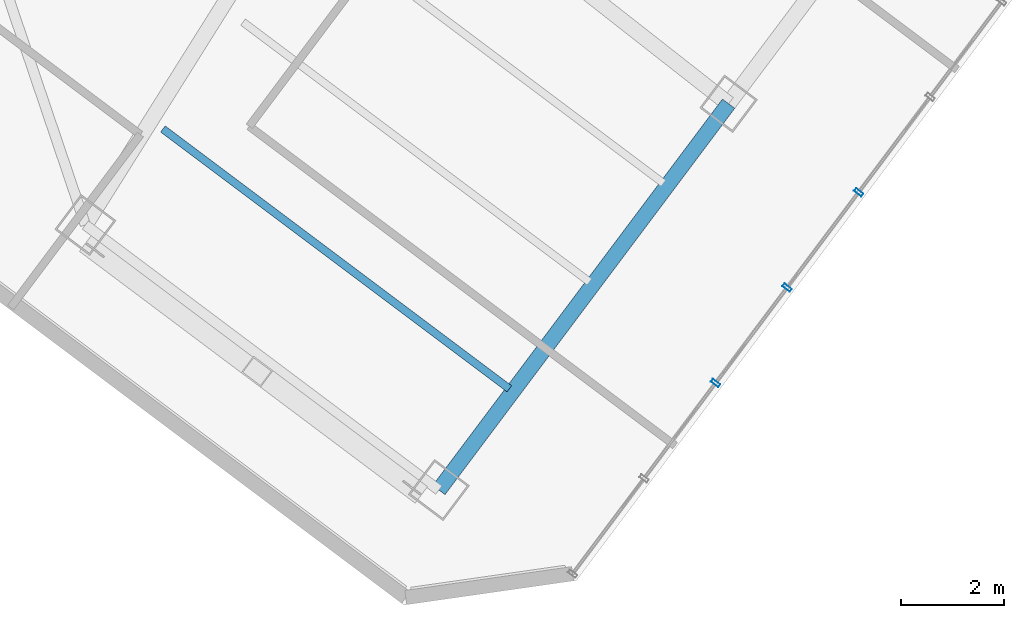
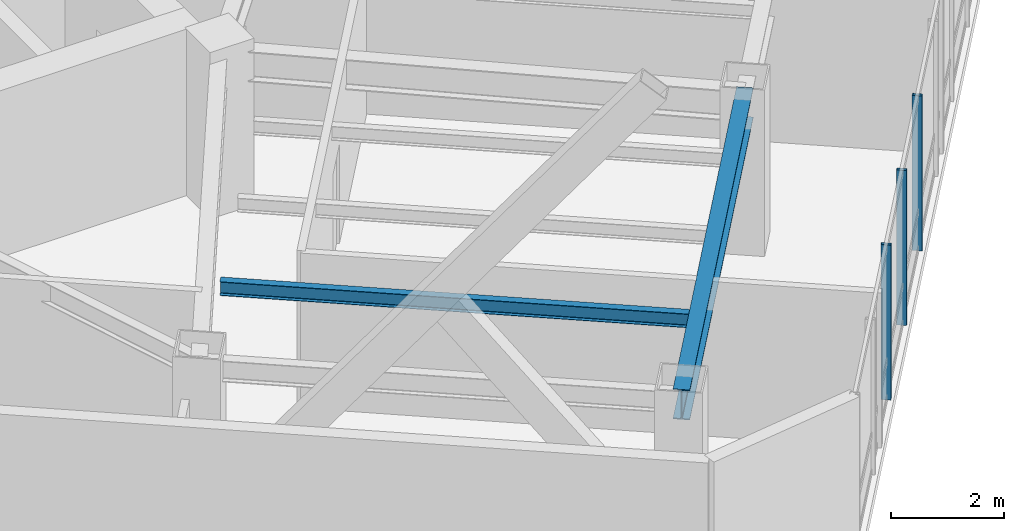
# One storey, part 11 of 27: 3 members, 2 beams, 1 element without a shape of its own.
"""IFC4 building model written with IfcOpenShell, lengths in metres."""

from ifc_helpers import new_model, si_unit, direction, frame, origin, origin_2d, place, context, subcontext, project, spatial, hollow_rectangle, i_section, extrude, material, layer, layer_set, material_profile, profile_set, type_object, element, aggregate, save


model = new_model("IFC4")

# Units and contexts
model_context = context("Model", 3, precision=1e-05, world=origin(), true_north=direction((0.0, 1.0)))
body_context = subcontext(model_context, "Body", "Model", "MODEL_VIEW")
ifc_project = project(units=[si_unit("LENGTHUNIT", "METRE"), si_unit("AREAUNIT", "SQUARE_METRE"), si_unit("VOLUMEUNIT", "CUBIC_METRE"), si_unit("PLANEANGLEUNIT", "RADIAN"), si_unit("MASSUNIT", "GRAM", prefix="KILO")], contexts=[model_context])

# Site, building, storey
site_placement = place(None, origin())
site = spatial("IfcSite", under=ifc_project, at=site_placement, CompositionType="ELEMENT")
building_placement = place(site_placement, origin())
building = spatial("IfcBuilding", under=site, at=building_placement, Name="Hatsunagi Terrace Concourse", CompositionType="ELEMENT")
storey_placement = place(building_placement, frame((0.0, 0.0, 156.449951171875)))
storey = spatial("IfcBuildingStorey", under=building, at=storey_placement, Name="L41", CompositionType="ELEMENT", Elevation=156.449951171875)

# Curtain wall, members
ifc_material_1 = material(Name="Anodised Aluminium Alloy 6063-T5", Category="aluminium")
ifc_layer = layer(ifc_material_1, 0.199951171875)
ifc_layer_set = layer_set([ifc_layer], Name="OfficeZone1_CW03")
curtain_wall_type = type_object("IfcCurtainWallType", Name="OfficeZone1_CW03", PredefinedType="NOTDEFINED", material=ifc_layer_set)
curtain_wall_placement = place(storey_placement, origin())
curtain_wall = element("IfcCurtainWall", 1, at=curtain_wall_placement, inside=storey, type_object=curtain_wall_type, Name="Unitised Curtain Wall CW-03 CW-L41-03", PredefinedType="NOTDEFINED")
ifc_material_2 = material(Name="Anodised Aluminium Alloy 6063-T5", Category="aluminium")
ifc_material_profile_1 = material_profile(ifc_material_2, hollow_rectangle(XDim=0.070068359375, YDim=0.179931640625, WallThickness=0.00390625, at=origin_2d()), Name="ALU-MUL-180x70x4")
ifc_profile_set_1 = profile_set([ifc_material_profile_1], Name="Anodised Aluminium Alloy 6063-T5")
member_type = type_object("IfcMemberType", Name="CurtainWallMullion_180x70", PredefinedType="MULLION", material=ifc_profile_set_1)
member_1_placement = place(storey_placement, frame((53.73193359375, 16.676025390625, 0.0), z_axis=(0.0, 0.0, 1.0), x_axis=(-0.599969314634, -0.800023013105, 0.0)))
member_1 = element("IfcMember", 2, at=member_1_placement, type_object=member_type, Name="Curtain Wall Mullion MUL-02", PredefinedType="MULLION", context=body_context, shape_type="SweptSolid", body=[
    extrude(hollow_rectangle(XDim=0.070068359375, YDim=0.179931640625, WallThickness=0.00390625, at=origin_2d()), origin(), (0.0, 0.0, 1.0), 3.35009765625),
])
member_2_placement = place(storey_placement, frame((52.340087890625, 14.819091796875, 0.0), z_axis=(0.0, 0.0, 1.0), x_axis=(-0.599969314634, -0.800023013105, 0.0)))
member_2 = element("IfcMember", 3, at=member_2_placement, type_object=member_type, Name="Curtain Wall Mullion MUL-02", PredefinedType="MULLION", context=body_context, shape_type="SweptSolid", body=[
    extrude(hollow_rectangle(XDim=0.070068359375, YDim=0.179931640625, WallThickness=0.00390625, at=origin_2d()), origin(), (0.0, 0.0, 1.0), 3.35009765625),
])
member_3_placement = place(storey_placement, frame((50.947021484375, 12.962890625, 0.0), z_axis=(0.0, 0.0, 1.0), x_axis=(-0.599969314634, -0.800023013105, 0.0)))
member_3 = element("IfcMember", 4, at=member_3_placement, type_object=member_type, Name="Curtain Wall Mullion MUL-02", PredefinedType="MULLION", context=body_context, shape_type="SweptSolid", body=[
    extrude(hollow_rectangle(XDim=0.070068359375, YDim=0.179931640625, WallThickness=0.00390625, at=origin_2d()), origin(), (0.0, 0.0, 1.0), 3.35009765625),
])
aggregate(curtain_wall, [member_1, member_2, member_3])

# Beams
ifc_material_3 = material(Name="Steel SN490B", Category="steel")
ifc_material_profile_2 = material_profile(ifc_material_3, i_section(OverallWidth=0.14990234375, OverallDepth=0.300048828125, WebThickness=0.006591796875, FlangeThickness=0.009033203125, FilletRadius=0.010986328125, at=origin_2d()), Name="H-300x150x6.5x9")
ifc_profile_set_2 = profile_set([ifc_material_profile_2], Name="Steel SN490B")
beam_type_1 = type_object("IfcBeamType", Name="OfficeJoist_H_300x150", PredefinedType="JOIST", material=ifc_profile_set_2)
beam_1_placement = place(storey_placement, frame((40.18798828125, 17.908935546875, 3.199951171875), z_axis=(0.800003475366, -0.59999536615, 0.0), x_axis=(0.59999536615, 0.800003475366, 0.0)))
element("IfcBeam", 5, at=beam_1_placement, inside=storey, type_object=beam_type_1, Name="Beam J-03 J-L41-SE-2-46", PredefinedType="JOIST", context=body_context, shape_type="SweptSolid", body=[
    extrude(i_section(OverallWidth=0.14990234375, OverallDepth=0.300048828125, WebThickness=0.006591796875, FlangeThickness=0.009033203125, FilletRadius=0.010986328125, at=origin_2d()), origin(), (0.0, 0.0, 1.0), 8.429931640625),
])
ifc_material_4 = material(Name="Steel SN490B", Category="steel")
ifc_material_profile_3 = material_profile(ifc_material_4, i_section(OverallWidth=0.300048828125, OverallDepth=0.64990234375, WebThickness=0.012939453125, FlangeThickness=0.02197265625, FilletRadius=0.01806640625, at=origin_2d()), Name="H-650x300x13x22")
ifc_profile_set_3 = profile_set([ifc_material_profile_3], Name="Steel SN490B")
beam_type_2 = type_object("IfcBeamType", Name="OfficeLowGirder_H_650x300", PredefinedType="BEAM", material=ifc_profile_set_3)
beam_2_placement = place(storey_placement, frame((45.56005859375, 10.8798828125, 3.025146484375), z_axis=(0.599991688754, 0.800006233367, 0.0), x_axis=(-0.800006233367, 0.599991688754, 0.0)))
element("IfcBeam", 6, at=beam_2_placement, inside=storey, type_object=beam_type_2, Name="Beam G-05 BM-L41-SET-2A", PredefinedType="BEAM", context=body_context, shape_type="SweptSolid", body=[
    extrude(i_section(OverallWidth=0.300048828125, OverallDepth=0.64990234375, WebThickness=0.012939453125, FlangeThickness=0.02197265625, FilletRadius=0.01806640625, at=origin_2d()), origin(), (0.0, 0.0, 1.0), 9.39990234375),
])

save(model, "model.ifc")
